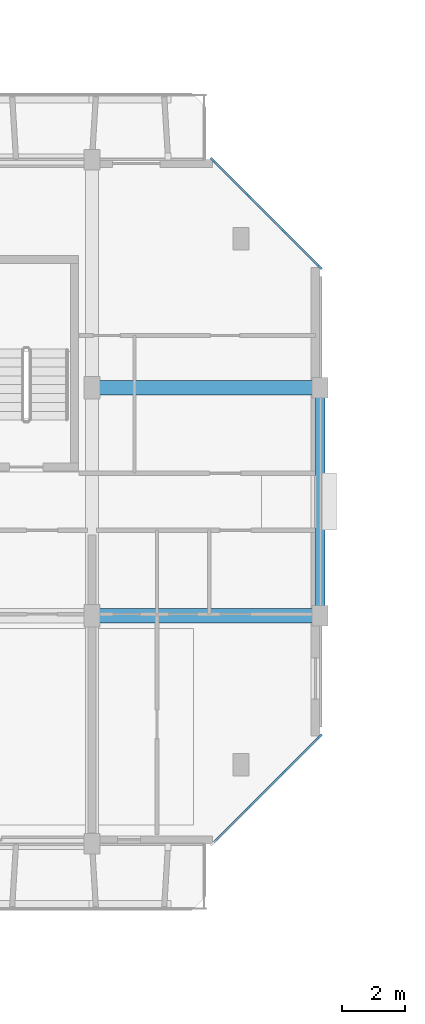
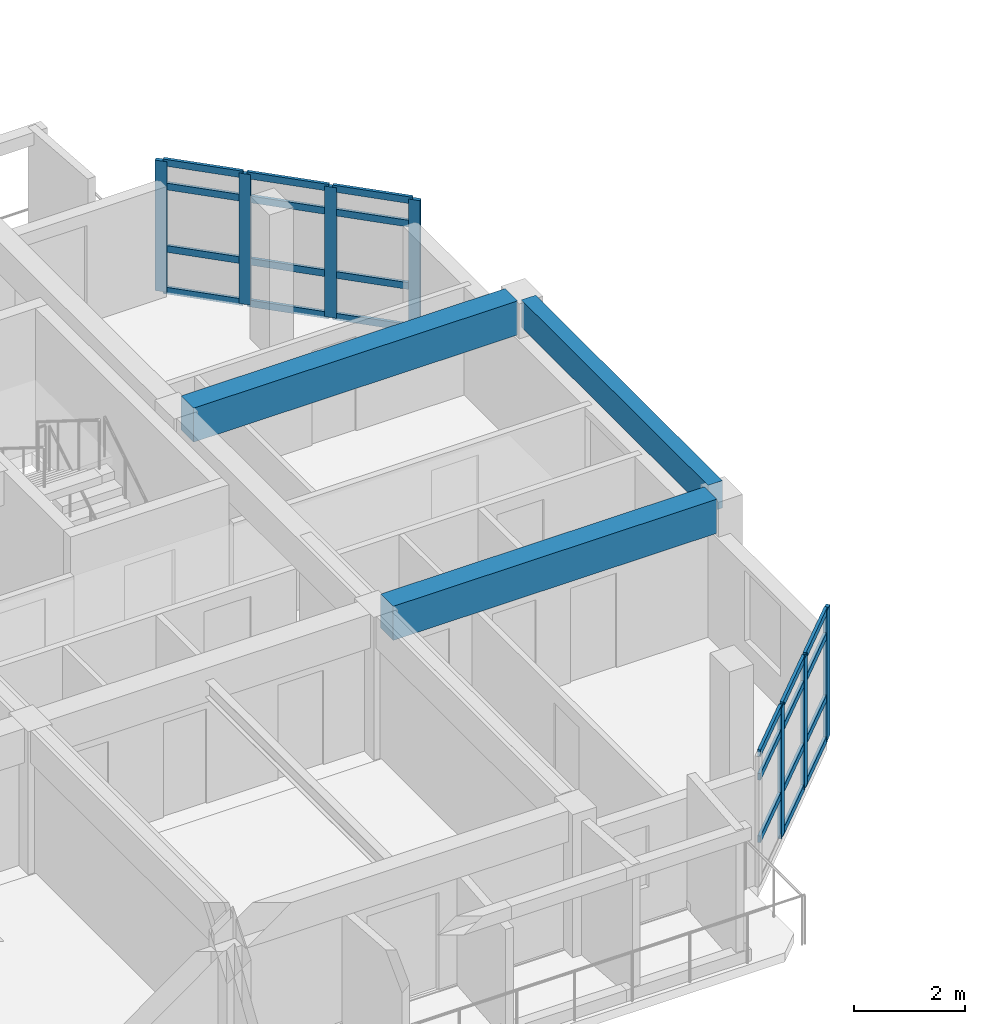
# One storey, part 7 of 64: 30 members, 3 beams, 2 elements without a shape of their own.
"""IFC4 building model written with IfcOpenShell, lengths in metres."""

from ifc_helpers import new_model, si_unit, direction, frame, origin, origin_2d, place, context, subcontext, project, spatial, rectangle, extrude, material, layer, layer_set, material_profile, profile_set, type_object, element, aggregate, save


model = new_model("IFC4")

# Units and contexts
model_context = context("Model", 3, precision=1e-05, world=origin(), true_north=direction((0.0, 1.0)))
body_context = subcontext(model_context, "Body", "Model", "MODEL_VIEW")
ifc_project = project(units=[si_unit("LENGTHUNIT", "METRE"), si_unit("AREAUNIT", "SQUARE_METRE"), si_unit("VOLUMEUNIT", "CUBIC_METRE"), si_unit("PLANEANGLEUNIT", "RADIAN"), si_unit("MASSUNIT", "GRAM", prefix="KILO")], contexts=[model_context])

# Site, building, storey
site_placement = place(None, origin())
site = spatial("IfcSite", under=ifc_project, at=site_placement, CompositionType="ELEMENT")
building_placement = place(site_placement, origin())
building = spatial("IfcBuilding", under=site, at=building_placement, Name="Ochrevale Crest", CompositionType="ELEMENT")
storey_placement = place(building_placement, frame((0.0, 0.0, 8.699951171875)))
storey = spatial("IfcBuildingStorey", under=building, at=storey_placement, Name="L02", CompositionType="ELEMENT", Elevation=8.699951171875)

# Beams
ifc_material_1 = material(Name="Concrete C50/60", Category="concrete")
ifc_material_profile_1 = material_profile(ifc_material_1, rectangle(XDim=0.449951171875, YDim=0.75, at=origin_2d()), Name="RC 450x750")
ifc_profile_set_1 = profile_set([ifc_material_profile_1], Name="Concrete C50/60")
beam_type_1 = type_object("IfcBeamType", Name="BM-PG450x750", PredefinedType="USERDEFINED", material=ifc_profile_set_1)
for number, where, z_axis, x_axis, name in (
    (1, (29.02490234375, 21.60009765625, 2.775146484375), (1.0, 0.0, 0.0), (0.0, 1.0, 0.0), "Block A L02 E-W beam Y=21.6"),
    (2, (29.02490234375, 28.800048828125, 2.775146484375), (1.0, 0.0, 0.0), (0.0, 1.0, 0.0), "Block A L02 E-W beam Y=28.8"),
):
    element("IfcBeam", number, at=place(storey_placement, frame(where, z_axis=z_axis, x_axis=x_axis)), inside=storey, type_object=beam_type_1, Name=name, ObjectType="GIRDER", PredefinedType="USERDEFINED", context=body_context, shape_type="SweptSolid", body=[
        extrude(rectangle(XDim=0.449951171875, YDim=0.75, at=origin_2d()), origin(), (0.0, 0.0, 1.0), 6.75),
    ])
ifc_material_2 = material(Name="Precast concrete C40/50", Category="concrete")
ifc_material_profile_2 = material_profile(ifc_material_2, rectangle(XDim=0.300048828125, YDim=0.60009765625, at=origin_2d()), Name="PC 300x600")
ifc_profile_set_2 = profile_set([ifc_material_profile_2], Name="Precast concrete C40/50")
beam_type_2 = type_object("IfcBeamType", Name="BM-SP300x600", PredefinedType="SPANDREL", material=ifc_profile_set_2)
beam_placement = place(storey_placement, frame((36.0, 21.830078125, 2.85009765625), z_axis=(0.0, 1.0, 0.0), x_axis=(-1.0, 0.0, 0.0)))
element("IfcBeam", 3, at=beam_placement, inside=storey, type_object=beam_type_2, Name="Block A L02 N-S beam X=36.0", PredefinedType="SPANDREL", context=body_context, shape_type="SweptSolid", body=[
    extrude(rectangle(XDim=0.300048828125, YDim=0.60009765625, at=origin_2d()), origin(), (0.0, 0.0, 1.0), 6.739990234375),
])

# Curtain wall, members
ifc_material_3 = material(Name="Anodised aluminium 6063-T5", Category="aluminium")
ifc_layer_1 = layer(ifc_material_3, 0.14990234375)
ifc_layer_set_1 = layer_set([ifc_layer_1], Name="Anodised aluminium 6063-T5")
curtain_wall_type_1 = type_object("IfcCurtainWallType", Name="CW-WG-420x285", PredefinedType="NOTDEFINED", material=ifc_layer_set_1)
curtain_wall_1_placement = place(storey_placement, origin())
curtain_wall_1 = element("IfcCurtainWall", 4, at=curtain_wall_1_placement, inside=storey, type_object=curtain_wall_type_1, Name="Block A L02 chamfered corner wintergarden curtain wall 2", PredefinedType="NOTDEFINED")
ifc_material_profile_3 = material_profile(ifc_material_3, rectangle(XDim=0.074951171875, YDim=0.219970703125, at=origin_2d()), Name="ALU 75x220")
ifc_profile_set_3 = profile_set([ifc_material_profile_3], Name="Anodised aluminium 6063-T5")
member_type_1 = type_object("IfcMemberType", Name="CW-MUL-75x220", PredefinedType="MULLION", material=ifc_profile_set_3)
member_1_placement = place(storey_placement, frame((33.7333984375, 15.533447265625, 0.0), z_axis=(0.0, 0.0, 1.0), x_axis=(-0.707106781187, 0.707106781187, 0.0)))
member_1 = element("IfcMember", 5, at=member_1_placement, type_object=member_type_1, Name="CW22 mullion 2", PredefinedType="MULLION", context=body_context, shape_type="SweptSolid", body=[
    extrude(rectangle(XDim=0.074951171875, YDim=0.219970703125, at=origin_2d()), origin(), (0.0, 0.0, 1.0), 2.875),
])
member_2_placement = place(storey_placement, frame((34.86669921875, 16.666748046875, 0.0), z_axis=(0.0, 0.0, 1.0), x_axis=(-0.707106781187, 0.707106781187, 0.0)))
member_2 = element("IfcMember", 6, at=member_2_placement, type_object=member_type_1, Name="CW22 mullion 3", PredefinedType="MULLION", context=body_context, shape_type="SweptSolid", body=[
    extrude(rectangle(XDim=0.074951171875, YDim=0.219970703125, at=origin_2d()), origin(), (0.0, 0.0, 1.0), 2.875),
])
member_3_placement = place(storey_placement, frame((35.973388671875, 17.7734375, 0.0), z_axis=(0.0, 0.0, 1.0), x_axis=(-0.707106781187, 0.707106781187, 0.0)))
member_3 = element("IfcMember", 7, at=member_3_placement, type_object=member_type_1, Name="CW22 mullion 4", PredefinedType="MULLION", context=body_context, shape_type="SweptSolid", body=[
    extrude(rectangle(XDim=0.074951171875, YDim=0.219970703125, at=origin_2d()), origin(), (0.0, 0.0, 1.0), 2.875),
])

ifc_layer_2 = layer(ifc_material_3, 0.14990234375)
ifc_layer_set_2 = layer_set([ifc_layer_2], Name="Anodised aluminium 6063-T5")
curtain_wall_type_2 = type_object("IfcCurtainWallType", Name="CW-WG-280x285", PredefinedType="NOTDEFINED", material=ifc_layer_set_2)
curtain_wall_2_placement = place(storey_placement, origin())
curtain_wall_2 = element("IfcCurtainWall", 8, at=curtain_wall_2_placement, inside=storey, type_object=curtain_wall_type_2, Name="Block A L02 chamfered corner wintergarden curtain wall 4", PredefinedType="NOTDEFINED")
member_4_placement = place(storey_placement, frame((35.973388671875, 32.62646484375, 0.0), z_axis=(0.0, 0.0, 1.0), x_axis=(-0.707106781187, -0.707106781187, 0.0)))
member_4 = element("IfcMember", 9, at=member_4_placement, type_object=member_type_1, Name="CW16 mullion 1", PredefinedType="MULLION", context=body_context, shape_type="SweptSolid", body=[
    extrude(rectangle(XDim=0.074951171875, YDim=0.219970703125, at=origin_2d()), origin(), (0.0, 0.0, 1.0), 2.875),
])
member_5_placement = place(storey_placement, frame((34.86669921875, 33.7333984375, 0.0), z_axis=(0.0, 0.0, 1.0), x_axis=(-0.707106781187, -0.707106781187, 0.0)))
member_5 = element("IfcMember", 10, at=member_5_placement, type_object=member_type_1, Name="CW16 mullion 2", PredefinedType="MULLION", context=body_context, shape_type="SweptSolid", body=[
    extrude(rectangle(XDim=0.074951171875, YDim=0.219970703125, at=origin_2d()), origin(), (0.0, 0.0, 1.0), 2.875),
])
member_6_placement = place(storey_placement, frame((33.7333984375, 34.86669921875, 0.0), z_axis=(0.0, 0.0, 1.0), x_axis=(-0.707106781187, -0.707106781187, 0.0)))
member_6 = element("IfcMember", 11, at=member_6_placement, type_object=member_type_1, Name="CW16 mullion 3", PredefinedType="MULLION", context=body_context, shape_type="SweptSolid", body=[
    extrude(rectangle(XDim=0.074951171875, YDim=0.219970703125, at=origin_2d()), origin(), (0.0, 0.0, 1.0), 2.875),
])
member_7_placement = place(storey_placement, frame((32.62646484375, 35.973388671875, 0.0), z_axis=(0.0, 0.0, 1.0), x_axis=(-0.707106781187, -0.707106781187, 0.0)))
member_7 = element("IfcMember", 12, at=member_7_placement, type_object=member_type_1, Name="CW16 mullion 4", PredefinedType="MULLION", context=body_context, shape_type="SweptSolid", body=[
    extrude(rectangle(XDim=0.074951171875, YDim=0.219970703125, at=origin_2d()), origin(), (0.0, 0.0, 1.0), 2.875),
])

# Member
ifc_material_profile_4 = material_profile(ifc_material_3, rectangle(XDim=0.06005859375, YDim=0.14990234375, at=origin_2d()), Name="ALU 60x150")
ifc_profile_set_4 = profile_set([ifc_material_profile_4], Name="Anodised aluminium 6063-T5")
member_type_2 = type_object("IfcMemberType", Name="CW-TRN-60x150", PredefinedType="USERDEFINED", material=ifc_profile_set_4)
member_8_placement = place(storey_placement, frame((32.653076171875, 14.453125, 0.949951171875), z_axis=(0.707106781187, 0.707106781187, 0.0), x_axis=(-0.707106781187, 0.707106781187, 0.0)))
member_8 = element("IfcMember", 13, at=member_8_placement, type_object=member_type_2, Name="CW22 transom 1.2", ObjectType="TRANSOM", PredefinedType="USERDEFINED", context=body_context, shape_type="SweptSolid", body=[
    extrude(rectangle(XDim=0.06005859375, YDim=0.14990234375, at=origin_2d()), origin(), (0.0, 0.0, 1.0), 1.490234375),
])

member_9_placement = place(storey_placement, frame((32.653076171875, 14.453125, 2.324951171875), z_axis=(0.707106781187, 0.707106781187, 0.0), x_axis=(-0.707106781187, 0.707106781187, 0.0)))
member_9 = element("IfcMember", 14, at=member_9_placement, type_object=member_type_2, Name="CW22 transom 1.3", ObjectType="TRANSOM", PredefinedType="USERDEFINED", context=body_context, shape_type="SweptSolid", body=[
    extrude(rectangle(XDim=0.06005859375, YDim=0.14990234375, at=origin_2d()), origin(), (0.0, 0.0, 1.0), 1.490234375),
])

member_10_placement = place(storey_placement, frame((32.653076171875, 14.453125, 2.844970703125), z_axis=(0.707106781187, 0.707106781187, 0.0), x_axis=(-0.707106781187, 0.707106781187, 0.0)))
member_10 = element("IfcMember", 15, at=member_10_placement, type_object=member_type_2, Name="CW22 transom 1.4", ObjectType="TRANSOM", PredefinedType="USERDEFINED", context=body_context, shape_type="SweptSolid", body=[
    extrude(rectangle(XDim=0.06005859375, YDim=0.14990234375, at=origin_2d()), origin(), (0.0, 0.0, 1.0), 1.490234375),
])

member_11_placement = place(storey_placement, frame((33.759765625, 15.559814453125, 0.030029296875), z_axis=(0.707106781187, 0.707106781187, 0.0), x_axis=(-0.707106781187, 0.707106781187, 0.0)))
member_11 = element("IfcMember", 16, at=member_11_placement, type_object=member_type_2, Name="CW22 transom 2.1", ObjectType="TRANSOM", PredefinedType="USERDEFINED", context=body_context, shape_type="SweptSolid", body=[
    extrude(rectangle(XDim=0.06005859375, YDim=0.14990234375, at=origin_2d()), origin(), (0.0, 0.0, 1.0), 1.52783203125),
])

member_12_placement = place(storey_placement, frame((33.759765625, 15.559814453125, 0.949951171875), z_axis=(0.707106781187, 0.707106781187, 0.0), x_axis=(-0.707106781187, 0.707106781187, 0.0)))
member_12 = element("IfcMember", 17, at=member_12_placement, type_object=member_type_2, Name="CW22 transom 2.2", ObjectType="TRANSOM", PredefinedType="USERDEFINED", context=body_context, shape_type="SweptSolid", body=[
    extrude(rectangle(XDim=0.06005859375, YDim=0.14990234375, at=origin_2d()), origin(), (0.0, 0.0, 1.0), 1.52783203125),
])

member_13_placement = place(storey_placement, frame((33.759765625, 15.559814453125, 2.324951171875), z_axis=(0.707106781187, 0.707106781187, 0.0), x_axis=(-0.707106781187, 0.707106781187, 0.0)))
member_13 = element("IfcMember", 18, at=member_13_placement, type_object=member_type_2, Name="CW22 transom 2.3", ObjectType="TRANSOM", PredefinedType="USERDEFINED", context=body_context, shape_type="SweptSolid", body=[
    extrude(rectangle(XDim=0.06005859375, YDim=0.14990234375, at=origin_2d()), origin(), (0.0, 0.0, 1.0), 1.52783203125),
])

member_14_placement = place(storey_placement, frame((33.759765625, 15.559814453125, 2.844970703125), z_axis=(0.707106781187, 0.707106781187, 0.0), x_axis=(-0.707106781187, 0.707106781187, 0.0)))
member_14 = element("IfcMember", 19, at=member_14_placement, type_object=member_type_2, Name="CW22 transom 2.4", ObjectType="TRANSOM", PredefinedType="USERDEFINED", context=body_context, shape_type="SweptSolid", body=[
    extrude(rectangle(XDim=0.06005859375, YDim=0.14990234375, at=origin_2d()), origin(), (0.0, 0.0, 1.0), 1.52783203125),
])

member_15_placement = place(storey_placement, frame((34.89306640625, 16.693115234375, 0.030029296875), z_axis=(0.707106781187, 0.707106781187, 0.0), x_axis=(-0.707106781187, 0.707106781187, 0.0)))
member_15 = element("IfcMember", 20, at=member_15_placement, type_object=member_type_2, Name="CW22 transom 3.1", ObjectType="TRANSOM", PredefinedType="USERDEFINED", context=body_context, shape_type="SweptSolid", body=[
    extrude(rectangle(XDim=0.06005859375, YDim=0.14990234375, at=origin_2d()), origin(), (0.0, 0.0, 1.0), 1.490478515625),
])

member_16_placement = place(storey_placement, frame((34.89306640625, 16.693115234375, 0.949951171875), z_axis=(0.707106781187, 0.707106781187, 0.0), x_axis=(-0.707106781187, 0.707106781187, 0.0)))
member_16 = element("IfcMember", 21, at=member_16_placement, type_object=member_type_2, Name="CW22 transom 3.2", ObjectType="TRANSOM", PredefinedType="USERDEFINED", context=body_context, shape_type="SweptSolid", body=[
    extrude(rectangle(XDim=0.06005859375, YDim=0.14990234375, at=origin_2d()), origin(), (0.0, 0.0, 1.0), 1.490478515625),
])

member_17_placement = place(storey_placement, frame((34.89306640625, 16.693115234375, 2.324951171875), z_axis=(0.707106781187, 0.707106781187, 0.0), x_axis=(-0.707106781187, 0.707106781187, 0.0)))
member_17 = element("IfcMember", 22, at=member_17_placement, type_object=member_type_2, Name="CW22 transom 3.3", ObjectType="TRANSOM", PredefinedType="USERDEFINED", context=body_context, shape_type="SweptSolid", body=[
    extrude(rectangle(XDim=0.06005859375, YDim=0.14990234375, at=origin_2d()), origin(), (0.0, 0.0, 1.0), 1.490478515625),
])

member_18_placement = place(storey_placement, frame((34.89306640625, 16.693115234375, 2.844970703125), z_axis=(0.707106781187, 0.707106781187, 0.0), x_axis=(-0.707106781187, 0.707106781187, 0.0)))
member_18 = element("IfcMember", 23, at=member_18_placement, type_object=member_type_2, Name="CW22 transom 3.4", ObjectType="TRANSOM", PredefinedType="USERDEFINED", context=body_context, shape_type="SweptSolid", body=[
    extrude(rectangle(XDim=0.06005859375, YDim=0.14990234375, at=origin_2d()), origin(), (0.0, 0.0, 1.0), 1.490478515625),
])

aggregate(curtain_wall_1, [member_1, member_2, member_3, member_8, member_9, member_10, member_11, member_12, member_13, member_14, member_15, member_16, member_17, member_18])

member_19_placement = place(storey_placement, frame((35.947021484375, 32.653076171875, 0.030029296875), z_axis=(-0.707188683865, 0.70702486902, 0.0), x_axis=(-0.70702486902, -0.707188683865, 0.0)))
member_19 = element("IfcMember", 24, at=member_19_placement, type_object=member_type_2, Name="CW16 transom 1.1", ObjectType="TRANSOM", PredefinedType="USERDEFINED", context=body_context, shape_type="SweptSolid", body=[
    extrude(rectangle(XDim=0.06005859375, YDim=0.14990234375, at=origin_2d()), origin(), (0.0, 0.0, 1.0), 1.490234375),
])

member_20_placement = place(storey_placement, frame((35.947021484375, 32.653076171875, 0.949951171875), z_axis=(-0.707188683865, 0.70702486902, 0.0), x_axis=(-0.70702486902, -0.707188683865, 0.0)))
member_20 = element("IfcMember", 25, at=member_20_placement, type_object=member_type_2, Name="CW16 transom 1.2", ObjectType="TRANSOM", PredefinedType="USERDEFINED", context=body_context, shape_type="SweptSolid", body=[
    extrude(rectangle(XDim=0.06005859375, YDim=0.14990234375, at=origin_2d()), origin(), (0.0, 0.0, 1.0), 1.490234375),
])

member_21_placement = place(storey_placement, frame((35.947021484375, 32.653076171875, 2.324951171875), z_axis=(-0.707188683865, 0.70702486902, 0.0), x_axis=(-0.70702486902, -0.707188683865, 0.0)))
member_21 = element("IfcMember", 26, at=member_21_placement, type_object=member_type_2, Name="CW16 transom 1.3", ObjectType="TRANSOM", PredefinedType="USERDEFINED", context=body_context, shape_type="SweptSolid", body=[
    extrude(rectangle(XDim=0.06005859375, YDim=0.14990234375, at=origin_2d()), origin(), (0.0, 0.0, 1.0), 1.490234375),
])

member_22_placement = place(storey_placement, frame((35.947021484375, 32.653076171875, 2.844970703125), z_axis=(-0.707188683865, 0.70702486902, 0.0), x_axis=(-0.70702486902, -0.707188683865, 0.0)))
member_22 = element("IfcMember", 27, at=member_22_placement, type_object=member_type_2, Name="CW16 transom 1.4", ObjectType="TRANSOM", PredefinedType="USERDEFINED", context=body_context, shape_type="SweptSolid", body=[
    extrude(rectangle(XDim=0.06005859375, YDim=0.14990234375, at=origin_2d()), origin(), (0.0, 0.0, 1.0), 1.490234375),
])

member_23_placement = place(storey_placement, frame((34.840087890625, 33.759765625, 0.030029296875), z_axis=(-0.707106781187, 0.707106781187, 0.0), x_axis=(-0.707106781187, -0.707106781187, 0.0)))
member_23 = element("IfcMember", 28, at=member_23_placement, type_object=member_type_2, Name="CW16 transom 2.1", ObjectType="TRANSOM", PredefinedType="USERDEFINED", context=body_context, shape_type="SweptSolid", body=[
    extrude(rectangle(XDim=0.06005859375, YDim=0.14990234375, at=origin_2d()), origin(), (0.0, 0.0, 1.0), 1.52783203125),
])

member_24_placement = place(storey_placement, frame((34.840087890625, 33.759765625, 0.949951171875), z_axis=(-0.707106781187, 0.707106781187, 0.0), x_axis=(-0.707106781187, -0.707106781187, 0.0)))
member_24 = element("IfcMember", 29, at=member_24_placement, type_object=member_type_2, Name="CW16 transom 2.2", ObjectType="TRANSOM", PredefinedType="USERDEFINED", context=body_context, shape_type="SweptSolid", body=[
    extrude(rectangle(XDim=0.06005859375, YDim=0.14990234375, at=origin_2d()), origin(), (0.0, 0.0, 1.0), 1.52783203125),
])

member_25_placement = place(storey_placement, frame((34.840087890625, 33.759765625, 2.324951171875), z_axis=(-0.707106781187, 0.707106781187, 0.0), x_axis=(-0.707106781187, -0.707106781187, 0.0)))
member_25 = element("IfcMember", 30, at=member_25_placement, type_object=member_type_2, Name="CW16 transom 2.3", ObjectType="TRANSOM", PredefinedType="USERDEFINED", context=body_context, shape_type="SweptSolid", body=[
    extrude(rectangle(XDim=0.06005859375, YDim=0.14990234375, at=origin_2d()), origin(), (0.0, 0.0, 1.0), 1.52783203125),
])

member_26_placement = place(storey_placement, frame((34.840087890625, 33.759765625, 2.844970703125), z_axis=(-0.707106781187, 0.707106781187, 0.0), x_axis=(-0.707106781187, -0.707106781187, 0.0)))
member_26 = element("IfcMember", 31, at=member_26_placement, type_object=member_type_2, Name="CW16 transom 2.4", ObjectType="TRANSOM", PredefinedType="USERDEFINED", context=body_context, shape_type="SweptSolid", body=[
    extrude(rectangle(XDim=0.06005859375, YDim=0.14990234375, at=origin_2d()), origin(), (0.0, 0.0, 1.0), 1.52783203125),
])

member_27_placement = place(storey_placement, frame((33.706787109375, 34.89306640625, 0.030029296875), z_axis=(-0.70702486902, 0.707188683865, 0.0), x_axis=(-0.707188683865, -0.70702486902, 0.0)))
member_27 = element("IfcMember", 32, at=member_27_placement, type_object=member_type_2, Name="CW16 transom 3.1", ObjectType="TRANSOM", PredefinedType="USERDEFINED", context=body_context, shape_type="SweptSolid", body=[
    extrude(rectangle(XDim=0.06005859375, YDim=0.14990234375, at=origin_2d()), origin(), (0.0, 0.0, 1.0), 1.490234375),
])

member_28_placement = place(storey_placement, frame((33.706787109375, 34.89306640625, 0.949951171875), z_axis=(-0.70702486902, 0.707188683865, 0.0), x_axis=(-0.707188683865, -0.70702486902, 0.0)))
member_28 = element("IfcMember", 33, at=member_28_placement, type_object=member_type_2, Name="CW16 transom 3.2", ObjectType="TRANSOM", PredefinedType="USERDEFINED", context=body_context, shape_type="SweptSolid", body=[
    extrude(rectangle(XDim=0.06005859375, YDim=0.14990234375, at=origin_2d()), origin(), (0.0, 0.0, 1.0), 1.490234375),
])

member_29_placement = place(storey_placement, frame((33.706787109375, 34.89306640625, 2.324951171875), z_axis=(-0.70702486902, 0.707188683865, 0.0), x_axis=(-0.707188683865, -0.70702486902, 0.0)))
member_29 = element("IfcMember", 34, at=member_29_placement, type_object=member_type_2, Name="CW16 transom 3.3", ObjectType="TRANSOM", PredefinedType="USERDEFINED", context=body_context, shape_type="SweptSolid", body=[
    extrude(rectangle(XDim=0.06005859375, YDim=0.14990234375, at=origin_2d()), origin(), (0.0, 0.0, 1.0), 1.490234375),
])

member_30_placement = place(storey_placement, frame((33.706787109375, 34.89306640625, 2.844970703125), z_axis=(-0.70702486902, 0.707188683865, 0.0), x_axis=(-0.707188683865, -0.70702486902, 0.0)))
member_30 = element("IfcMember", 35, at=member_30_placement, type_object=member_type_2, Name="CW16 transom 3.4", ObjectType="TRANSOM", PredefinedType="USERDEFINED", context=body_context, shape_type="SweptSolid", body=[
    extrude(rectangle(XDim=0.06005859375, YDim=0.14990234375, at=origin_2d()), origin(), (0.0, 0.0, 1.0), 1.490234375),
])

aggregate(curtain_wall_2, [member_4, member_5, member_6, member_7, member_19, member_20, member_21, member_22, member_23, member_24, member_25, member_26, member_27, member_28, member_29, member_30])

save(model, "model.ifc")
